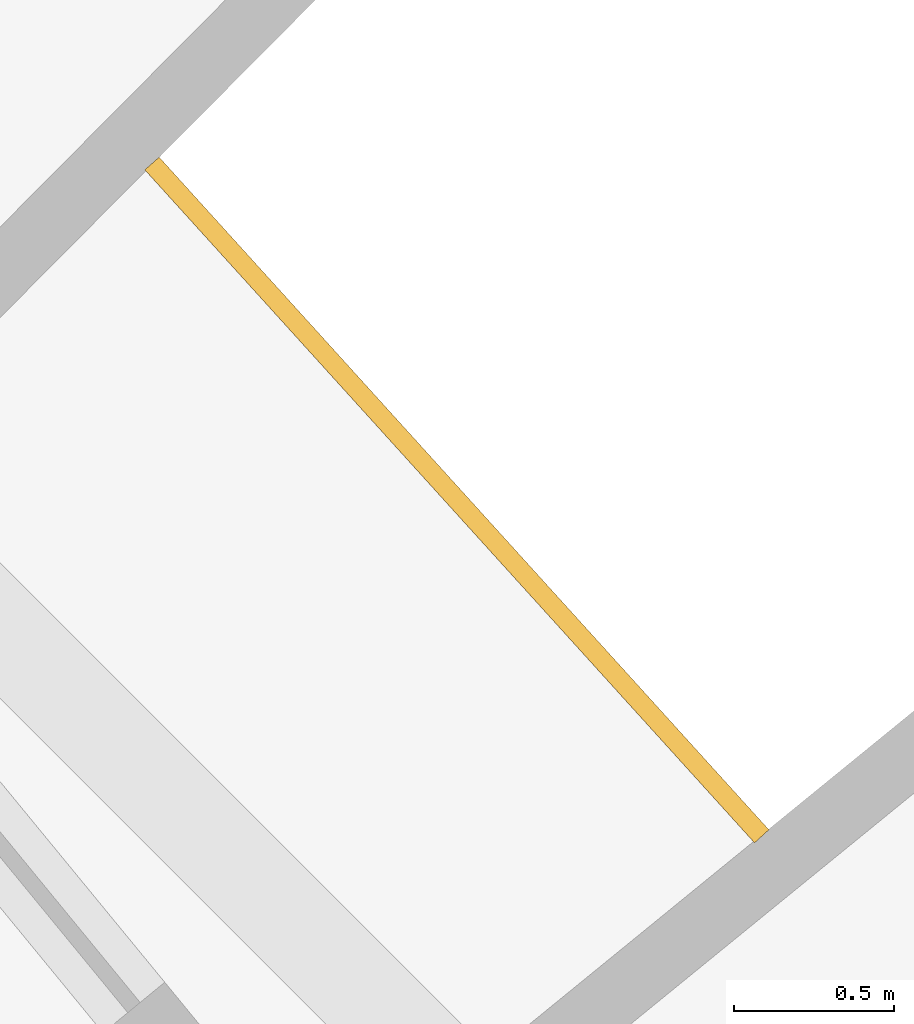
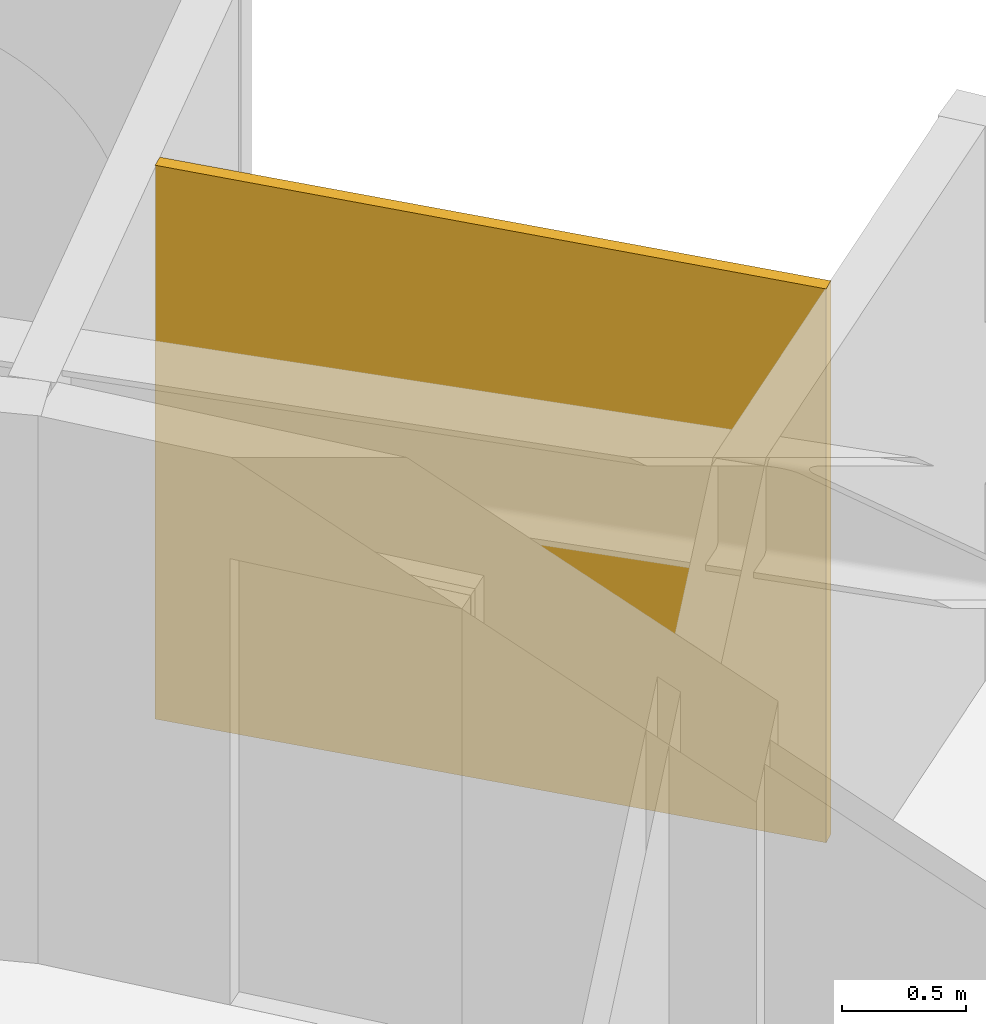
# One storey, part 26 of 26: 1 railing.
"""IFC4 building model written with IfcOpenShell, lengths in metres."""

from ifc_helpers import new_model, si_unit, direction, frame, origin, place, context, subcontext, project, spatial, polyline, outline, extrude, material, layer, layer_set, type_object, element, save


model = new_model("IFC4")

# Units and contexts
model_context = context("Model", 3, precision=1e-05, world=origin(), true_north=direction((0.0, 1.0)))
body_context = subcontext(model_context, "Body", "Model", "MODEL_VIEW")
ifc_project = project(units=[si_unit("LENGTHUNIT", "METRE"), si_unit("AREAUNIT", "SQUARE_METRE"), si_unit("VOLUMEUNIT", "CUBIC_METRE"), si_unit("PLANEANGLEUNIT", "RADIAN"), si_unit("MASSUNIT", "GRAM", prefix="KILO")], contexts=[model_context])

# Site, building, storey
site_placement = place(None, origin())
site = spatial("IfcSite", under=ifc_project, at=site_placement, CompositionType="ELEMENT")
building_placement = place(site_placement, origin())
building = spatial("IfcBuilding", under=site, at=building_placement, Name="Maasbend Ring Residences", CompositionType="ELEMENT")
storey_placement = place(building_placement, frame((0.0, 0.0, 28.89990234375)))
storey = spatial("IfcBuildingStorey", under=building, at=storey_placement, Name="L07", CompositionType="ELEMENT", Elevation=28.89990234375)

# Railing
ifc_material = material(Name="Pale anodised perforated aluminium", Category="aluminium")
ifc_layer = layer(ifc_material, 0.06005859375)
ifc_layer_set = layer_set([ifc_layer], Name="SCREEN-P")
railing_type = type_object("IfcRailingType", Name="SCREEN-P", PredefinedType="GUARDRAIL", material=ifc_layer_set)
railing_placement = place(storey_placement, frame((0.0, 0.0, -0.02978515625)))
element("IfcRailing", 1, at=railing_placement, inside=storey, type_object=railing_type, Name="Perforated screen guard 1", PredefinedType="GUARDRAIL", context=body_context, shape_type="SweptSolid", body=[
    extrude(outline(polyline([(22.4169921875, 18.39697265625), (20.506103515625, 20.506103515625), (20.551025390625, 20.5458984375), (22.4619140625, 18.43798828125), (22.4169921875, 18.39697265625)])), origin(), (0.0, 0.0, 1.0), 2.72998046875),
])

save(model, "model.ifc")
